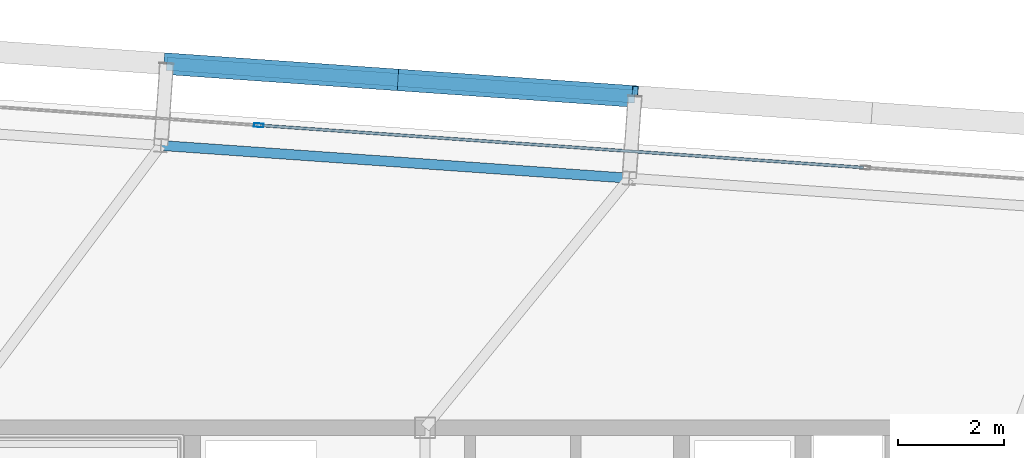
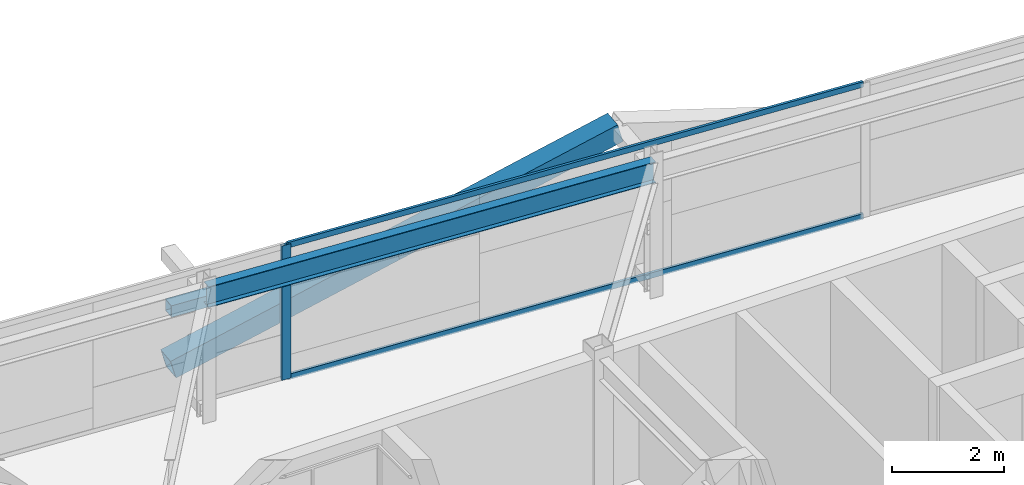
# One storey, part 21 of 39: 6 members, 1 beam, 1 element without a shape of its own.
"""IFC4 building model written with IfcOpenShell, lengths in metres."""

from ifc_helpers import new_model, si_unit, direction, frame, origin, origin_2d, place, context, subcontext, project, spatial, hollow_rectangle, i_section, extrude, source, transform, mapped, material, layer, layer_set, material_profile, profile_set, type_object, element, aggregate, save


model = new_model("IFC4")

# Units and contexts
model_context = context("Model", 3, precision=1e-05, world=origin(), true_north=direction((0.0, 1.0)))
body_context = subcontext(model_context, "Body", "Model", "MODEL_VIEW")
ifc_project = project(units=[si_unit("LENGTHUNIT", "METRE"), si_unit("AREAUNIT", "SQUARE_METRE"), si_unit("VOLUMEUNIT", "CUBIC_METRE"), si_unit("PLANEANGLEUNIT", "RADIAN"), si_unit("MASSUNIT", "GRAM", prefix="KILO")], contexts=[model_context])

# Site, building, storey
site_placement = place(None, origin())
site = spatial("IfcSite", under=ifc_project, at=site_placement, CompositionType="ELEMENT")
building_placement = place(site_placement, origin())
building = spatial("IfcBuilding", under=site, at=building_placement, Name="Taldren Reach Tower", CompositionType="ELEMENT")
storey_placement = place(building_placement, frame((0.0, 0.0, 155.050048828125)))
storey = spatial("IfcBuildingStorey", under=building, at=storey_placement, Name="L47", CompositionType="ELEMENT", Elevation=155.050048828125)

# Beam
ifc_material_1 = material(Name="Steel Gr 350 (350PLUS)", Category="steel")
ifc_material_profile_1 = material_profile(ifc_material_1, i_section(OverallWidth=0.18994140625, OverallDepth=0.4541015625, WebThickness=0.008544921875, FlangeThickness=0.0126953125, at=origin_2d()), Name="460UB67.1")
ifc_profile_set_1 = profile_set([ifc_material_profile_1], Name="Steel Gr 350 (350PLUS)")
beam_type = type_object("IfcBeamType", Name="SP-UB460B", PredefinedType="SPANDREL", material=ifc_profile_set_1)
shared_shape_1 = source(origin(), body_context, "Body", "SweptSolid", [
    extrude(i_section(OverallWidth=0.18994140625, OverallDepth=0.4541015625, WebThickness=0.008544921875, FlangeThickness=0.0126953125, at=origin_2d()), origin(), (0.0, 0.0, 1.0), 8.880126953125),
])
beam_placement = place(storey_placement, frame((31.861328125, 36.719970703125, 2.702880859375), z_axis=(-0.997564479639, 0.069750333063, 0.0), x_axis=(-0.069750333063, -0.997564479639, 0.0)))
element("IfcBeam", 1, at=beam_placement, inside=storey, type_object=beam_type, Name="Perimeter spandrel B3 N3-N2 L47", PredefinedType="SPANDREL", context=body_context, shape_type="MappedRepresentation", body=[
    mapped(shared_shape_1, transform((0.0, 0.0, 0.0), scale=1.0)),
])

# Members
ifc_material_2 = material(Name="Steel Gr 350 (C350L0)", Category="steel")
ifc_material_profile_2 = material_profile(ifc_material_2, hollow_rectangle(XDim=0.25, YDim=0.25, WallThickness=0.010009765625, at=origin_2d()), Name="250x250x10.0SHS")
ifc_profile_set_2 = profile_set([ifc_material_profile_2], Name="Steel Gr 350 (C350L0)")
member_type_1 = type_object("IfcMemberType", Name="MB-POST250", PredefinedType="POST", material=ifc_profile_set_2)
shared_shape_2 = source(origin(), body_context, "Body", "SweptSolid", [
    extrude(hollow_rectangle(XDim=0.25, YDim=0.25, WallThickness=0.010009765625, at=origin_2d()), origin(), (0.0, 0.0, 1.0), 8.880126953125),
])
member_1_placement = place(storey_placement, frame((23.111083984375, 38.885498046875, 1.43505859375), z_axis=(0.997564479639, -0.069750333063, 0.0), x_axis=(0.069750333063, 0.997564479639, 0.0)))
element("IfcMember", 2, at=member_1_placement, inside=storey, type_object=member_type_1, Name="Exoskeleton mid-height ring chord B3-N2 L47", PredefinedType="POST", context=body_context, shape_type="MappedRepresentation", body=[
    mapped(shared_shape_2, transform((0.0, 0.0, 0.0), scale=1.0)),
])
ifc_material_3 = material(Name="Steel Gr 450 (C450L0)", Category="steel")
ifc_material_profile_3 = material_profile(ifc_material_3, hollow_rectangle(XDim=0.409912109375, YDim=0.409912109375, WallThickness=0.01611328125, at=origin_2d()), Name="410x410x16.0SHS")
ifc_profile_set_3 = profile_set([ifc_material_profile_3], Name="Steel Gr 450 (C450L0)")
member_type_2 = type_object("IfcMemberType", Name="MB-EXO406", PredefinedType="BRACE", material=ifc_profile_set_3)
shared_shape_3 = source(origin(), body_context, "Body", "SweptSolid", [
    extrude(hollow_rectangle(XDim=0.409912109375, YDim=0.409912109375, WallThickness=0.01611328125, at=origin_2d()), origin(), (0.0, 0.0, 1.0), 4.603271484375),
])
for number, where, z_axis, x_axis, name in (
    (3, (23.111083984375, 38.885498046875, 0.219970703125), (0.962185784239, -0.067250114343, 0.263962002434), (0.069722973508, 0.997566392259, 0.0), "Exoskeleton Diagrid Brace B3-N2 L47"),
    (4, (27.540283203125, 38.575927734375, 1.43505859375), (0.962195820062, -0.067303852699, 0.263911718699), (0.06977769246, 0.997562566276, 0.0), "Exoskeleton Diagrid Brace B3-N2 L47"),
):
    element("IfcMember", number, at=place(storey_placement, frame(where, z_axis=z_axis, x_axis=x_axis)), inside=storey, type_object=member_type_2, Name=name, PredefinedType="BRACE", context=body_context, shape_type="MappedRepresentation", body=[
        mapped(shared_shape_3, transform((0.0, 0.0, 0.0), scale=1.0)),
    ])

# Curtain wall, members
ifc_material_4 = material(Name="Aluminium and Low-E Glass Unitised System", Category="aluminium")
ifc_layer = layer(ifc_material_4, 0.159912109375)
ifc_layer_set = layer_set([ifc_layer], Name="Aluminium and Low-E Glass Unitised System")
curtain_wall_type = type_object("IfcCurtainWallType", Name="CW-SYS-4", PredefinedType="NOTDEFINED", material=ifc_layer_set)
curtain_wall_placement = place(storey_placement, origin())
curtain_wall = element("IfcCurtainWall", 5, at=curtain_wall_placement, inside=storey, type_object=curtain_wall_type, Name="Unitised curtain wall CW-L47-N", PredefinedType="NOTDEFINED")
ifc_material_5 = material(Name="Anodised Aluminium 6063-T6", Category="aluminium")
ifc_material_profile_4 = material_profile(ifc_material_5, hollow_rectangle(XDim=0.054931640625, YDim=0.1201171875, WallThickness=0.0029296875, at=origin_2d()), Name="ALU-120x55x3RHS")
ifc_profile_set_4 = profile_set([ifc_material_profile_4], Name="Anodised Aluminium 6063-T6")
member_type_3 = type_object("IfcMemberType", Name="CW-TRN-135", PredefinedType="USERDEFINED", material=ifc_profile_set_4)
shared_shape_4 = source(origin(), body_context, "Body", "SweptSolid", [
    extrude(hollow_rectangle(XDim=0.054931640625, YDim=0.1201171875, WallThickness=0.0029296875, at=origin_2d()), origin(), (0.0, 0.0, 1.0), 11.43017578125),
])
member_2_placement = place(storey_placement, frame((36.291259765625, 36.92138671875, 0.02734375), z_axis=(-0.997563844883, 0.069759410701, 0.0), x_axis=(-0.069759410701, -0.997563844883, 0.0)))
member_2 = element("IfcMember", 6, at=member_2_placement, type_object=member_type_3, Name="CW-4 transom 3.1", ObjectType="TRANSOM", PredefinedType="USERDEFINED", context=body_context, shape_type="MappedRepresentation", body=[
    mapped(shared_shape_4, transform((0.0, 0.0, 0.0), scale=1.0)),
])
member_3_placement = place(storey_placement, frame((36.291259765625, 36.92138671875, 2.90234375), z_axis=(-0.997563844883, 0.069759410701, 0.0), x_axis=(-0.069759410701, -0.997563844883, 0.0)))
member_3 = element("IfcMember", 7, at=member_3_placement, type_object=member_type_3, Name="CW-4 transom 3.2", ObjectType="TRANSOM", PredefinedType="USERDEFINED", context=body_context, shape_type="MappedRepresentation", body=[
    mapped(shared_shape_4, transform((0.0, 0.0, 0.0), scale=1.0)),
])
ifc_material_profile_5 = material_profile(ifc_material_5, hollow_rectangle(XDim=0.070068359375, YDim=0.179931640625, WallThickness=0.00390625, at=origin_2d()), Name="ALU-180x70x4RHS")
ifc_profile_set_5 = profile_set([ifc_material_profile_5], Name="Anodised Aluminium 6063-T6")
member_type_4 = type_object("IfcMemberType", Name="CW-MUL-180", PredefinedType="MULLION", material=ifc_profile_set_5)
shared_shape_5 = source(origin(), body_context, "Body", "SweptSolid", [
    extrude(hollow_rectangle(XDim=0.070068359375, YDim=0.179931640625, WallThickness=0.00390625, at=origin_2d()), origin(), (0.0, 0.0, 1.0), 2.929931640625),
])
member_4_placement = place(storey_placement, frame((24.85400390625, 37.72119140625, 0.0), z_axis=(0.0, 0.0, 1.0), x_axis=(-0.06975651593, -0.99756404731, 0.0)))
member_4 = element("IfcMember", 8, at=member_4_placement, type_object=member_type_4, Name="CW-4 mullion 4", PredefinedType="MULLION", context=body_context, shape_type="MappedRepresentation", body=[
    mapped(shared_shape_5, transform((0.0, 0.0, 0.0), scale=1.0)),
])
aggregate(curtain_wall, [member_4, member_2, member_3])

save(model, "model.ifc")
